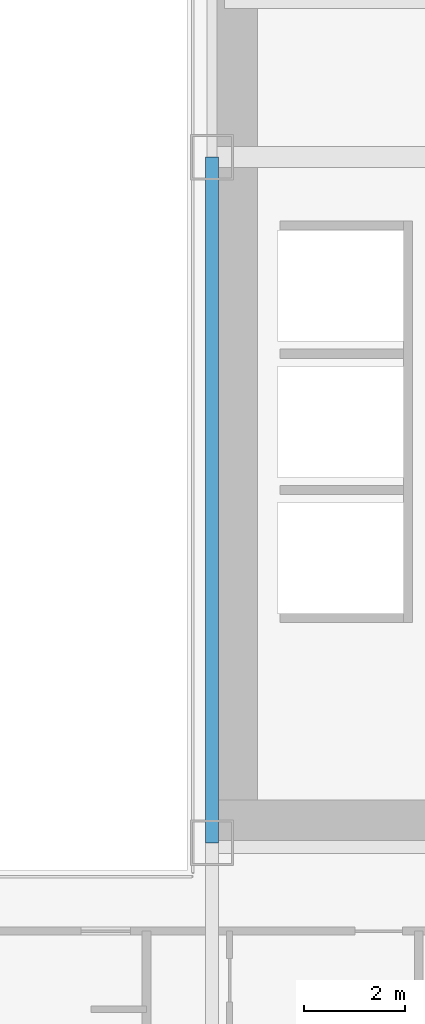
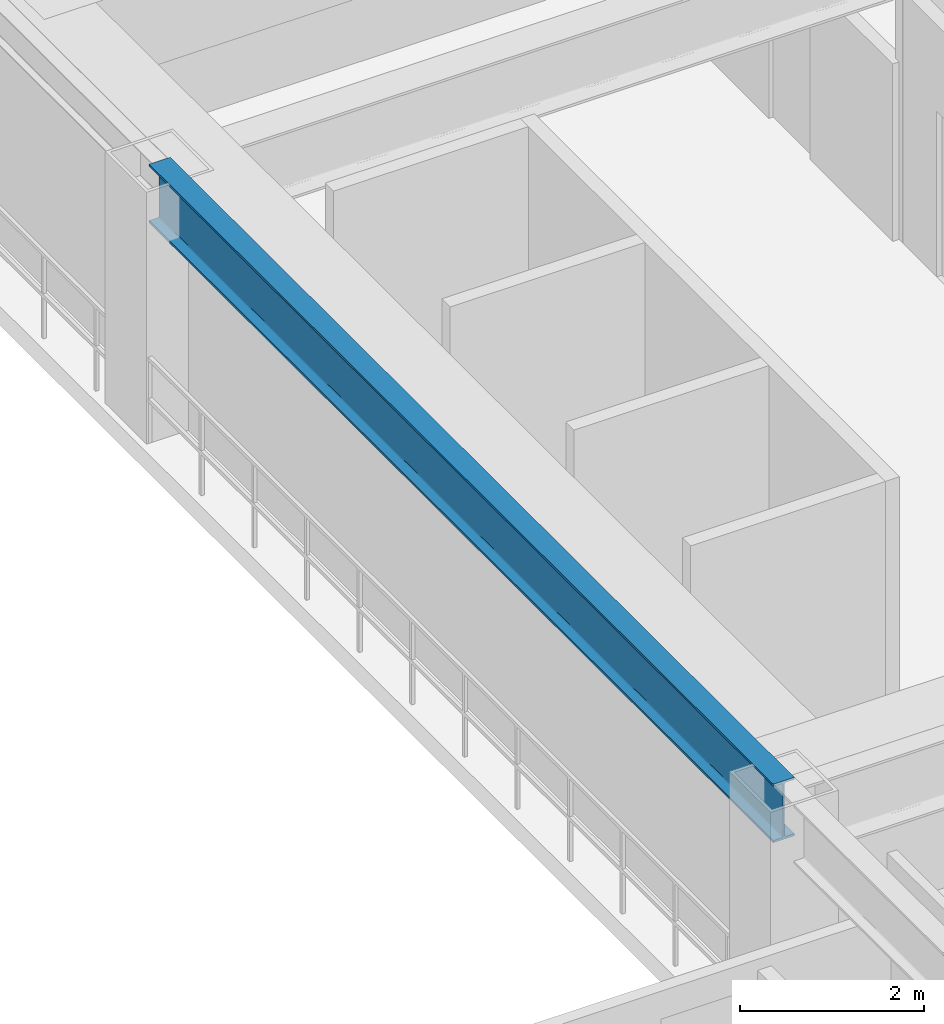
# One storey, part 12 of 38: 1 beam.
"""IFC4 building model written with IfcOpenShell, lengths in metres."""

from ifc_helpers import new_model, si_unit, direction, frame, origin, origin_2d, place, context, subcontext, project, spatial, i_section, extrude, source, transform, mapped, material, material_profile, profile_set, type_object, element, save


model = new_model("IFC4")

# Units and contexts
model_context = context("Model", 3, precision=1e-05, world=origin(), true_north=direction((0.0, 1.0)))
body_context = subcontext(model_context, "Body", "Model", "MODEL_VIEW")
ifc_project = project(units=[si_unit("LENGTHUNIT", "METRE"), si_unit("AREAUNIT", "SQUARE_METRE"), si_unit("VOLUMEUNIT", "CUBIC_METRE"), si_unit("PLANEANGLEUNIT", "RADIAN"), si_unit("MASSUNIT", "GRAM", prefix="KILO")], contexts=[model_context])

# Site, building, storey
site_placement = place(None, origin())
site = spatial("IfcSite", under=ifc_project, at=site_placement, CompositionType="ELEMENT")
building_placement = place(site_placement, origin())
building = spatial("IfcBuilding", under=site, at=building_placement, Name="Ocotamira Hotel", CompositionType="ELEMENT")
storey_placement = place(building_placement, frame((0.0, 0.0, 60.0)))
storey = spatial("IfcBuildingStorey", under=building, at=storey_placement, Name="L14", CompositionType="ELEMENT", Elevation=60.0)

# Beam
ifc_material = material(Name="Steel ASTM A992 Grade 50", Category="steel")
ifc_material_profile = material_profile(ifc_material, i_section(OverallWidth=0.26611328125, OverallDepth=0.779052734375, WebThickness=0.0166015625, FlangeThickness=0.030029296875, FilletRadius=0.01806640625, at=origin_2d()), Name="W30X148")
ifc_profile_set = profile_set([ifc_material_profile], Name="Steel ASTM A992 Grade 50")
beam_type = type_object("IfcBeamType", Name="BM-GIRD-W30X148", PredefinedType="BEAM", material=ifc_profile_set)
shared_shape = source(origin(), body_context, "Body", "SweptSolid", [
    extrude(i_section(OverallWidth=0.26611328125, OverallDepth=0.779052734375, WebThickness=0.0166015625, FlangeThickness=0.030029296875, FilletRadius=0.01806640625, at=origin_2d()), origin(), (0.0, 0.0, 1.0), 13.599853515625),
])
beam_placement = place(storey_placement, frame((40.5, 14.550048828125, 2.96044921875), z_axis=(0.0, 1.0, 0.0), x_axis=(-1.0, 0.0, 0.0)))
element("IfcBeam", 1, at=beam_placement, inside=storey, type_object=beam_type, Name="L14 Beam X40.5 Y14.55-28.15", PredefinedType="BEAM", context=body_context, shape_type="MappedRepresentation", body=[
    mapped(shared_shape, transform((0.0, 0.0, 0.0), scale=1.0)),
])

save(model, "model.ifc")
